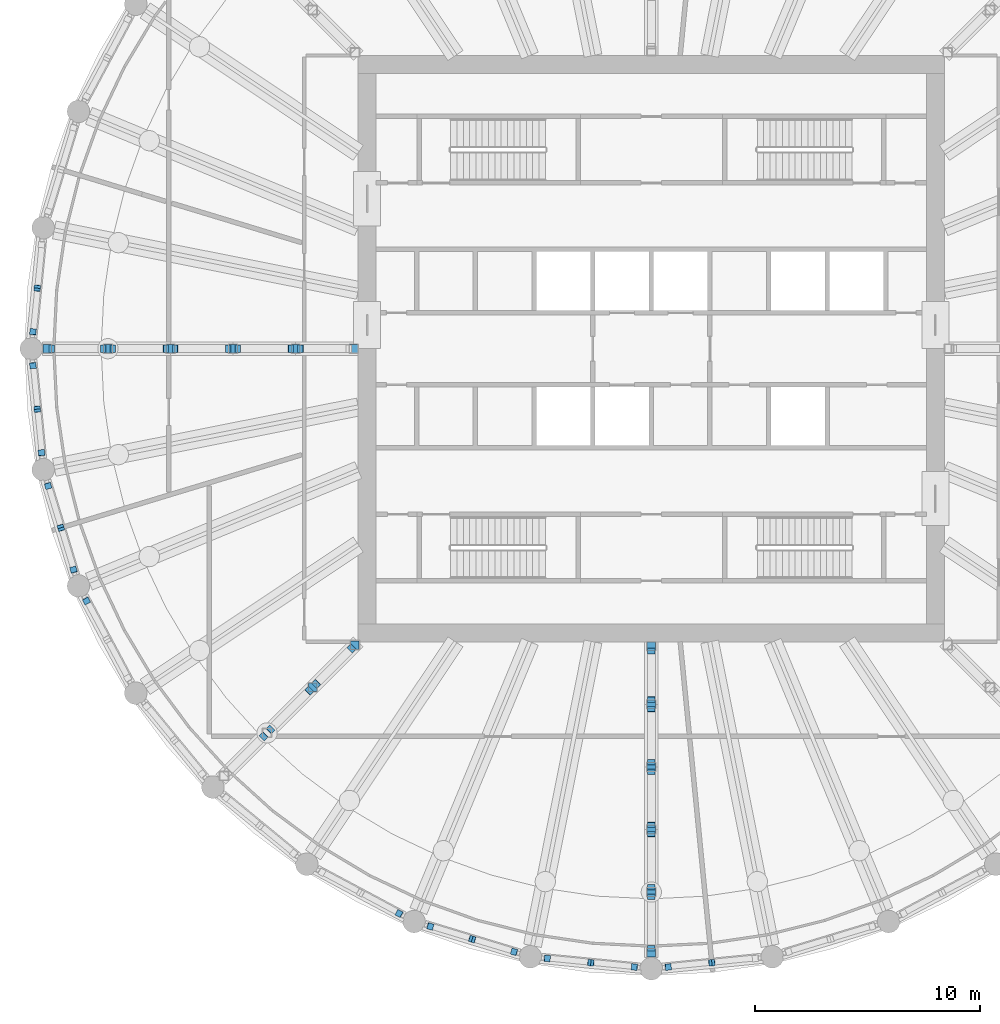
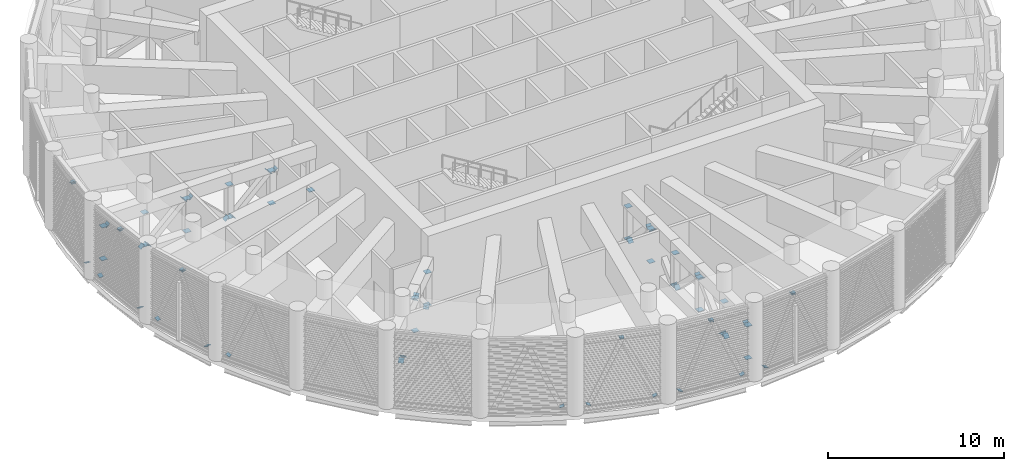
# One storey, part 13 of 24: 75 discrete accessories.
"""IFC4 building model written with IfcOpenShell, lengths in metres."""

from ifc_helpers import new_model, si_unit, direction, frame, origin, origin_2d, place, context, subcontext, project, spatial, rectangle, extrude, material, material_profile, profile_set, type_object, element, save


model = new_model("IFC4")

# Units and contexts
model_context = context("Model", 3, precision=1e-05, world=origin(), true_north=direction((0.0, 1.0)))
body_context = subcontext(model_context, "Body", "Model", "MODEL_VIEW")
ifc_project = project(units=[si_unit("LENGTHUNIT", "METRE"), si_unit("AREAUNIT", "SQUARE_METRE"), si_unit("VOLUMEUNIT", "CUBIC_METRE"), si_unit("PLANEANGLEUNIT", "RADIAN"), si_unit("MASSUNIT", "GRAM", prefix="KILO")], contexts=[model_context])

# Site, building, storey
site_placement = place(None, origin())
site = spatial("IfcSite", under=ifc_project, at=site_placement, CompositionType="ELEMENT")
building_placement = place(site_placement, origin())
building = spatial("IfcBuilding", under=site, at=building_placement, Name="Corvane Civic Tower", CompositionType="ELEMENT")
storey_placement = place(building_placement, frame((0.0, 0.0, 257.5)))
storey = spatial("IfcBuildingStorey", under=building, at=storey_placement, Name="L61", CompositionType="ELEMENT", Elevation=257.5)

# Discrete accessories
ifc_material_1 = material(Name="Steel ASTM A572 Gr 50", Category="steel")
ifc_material_profile_1 = material_profile(ifc_material_1, rectangle(XDim=0.2802734375, YDim=0.2802734375, at=origin_2d()), Name="GUSSET PLATE 25 IN HSS12X12X1/2")
ifc_profile_set_1 = profile_set([ifc_material_profile_1], Name="Steel ASTM A572 Gr 50")
discrete_accessory_type_1 = type_object("IfcDiscreteAccessoryType", Name="GUSSET PLATE 25 IN HSS12X12X1/2", PredefinedType="BRACKET", material=ifc_profile_set_1)
discrete_accessory_1_placement = place(storey_placement, frame((2.6826171875, -27.23583984375, 4.74365234375), z_axis=(0.399491749636, 0.038974804843, -0.915907913799), x_axis=(-0.097099964285, 0.995274633926, 0.0)))
element("IfcDiscreteAccessory", 1, at=discrete_accessory_1_placement, inside=storey, type_object=discrete_accessory_type_1, Name="Gusset plate BD1 end B", PredefinedType="BRACKET", context=body_context, shape_type="SweptSolid", body=[
    extrude(rectangle(XDim=0.2802734375, YDim=0.2802734375, at=origin_2d()), origin(), (0.0, 0.0, 1.0), 0.025146484375),
])
discrete_accessory_2_placement = place(storey_placement, frame((0.746337890625, -27.426513671875, 0.406494140625), z_axis=(0.411270876454, 0.0391686549, 0.910671226434), x_axis=(-0.094809092628, 0.995495472594, 0.0)))
element("IfcDiscreteAccessory", 2, at=discrete_accessory_2_placement, inside=storey, type_object=discrete_accessory_type_1, Name="Gusset plate BD1 end A", PredefinedType="BRACKET", context=body_context, shape_type="SweptSolid", body=[
    extrude(rectangle(XDim=0.2802734375, YDim=0.2802734375, at=origin_2d()), origin(), (0.0, 0.0, 1.0), 0.02490234375),
])
discrete_accessory_3_placement = place(storey_placement, frame((2.6826171875, -27.23583984375, 4.74365234375), z_axis=(-0.407632531003, -0.03882214581, -0.91232042653), x_axis=(0.094809092628, -0.995495472594, 0.0)))
element("IfcDiscreteAccessory", 3, at=discrete_accessory_3_placement, inside=storey, type_object=discrete_accessory_type_1, Name="Gusset plate BD1 end B", PredefinedType="BRACKET", context=body_context, shape_type="SweptSolid", body=[
    extrude(rectangle(XDim=0.2802734375, YDim=0.2802734375, at=origin_2d()), origin(), (0.0, 0.0, 1.0), 0.025146484375),
])
discrete_accessory_4_placement = place(storey_placement, frame((-0.746337890625, -27.426513671875, 0.406494140625), z_axis=(-0.411270876454, 0.0391686549, 0.910671226434), x_axis=(-0.094809092628, -0.995495472594, 0.0)))
element("IfcDiscreteAccessory", 4, at=discrete_accessory_4_placement, inside=storey, type_object=discrete_accessory_type_1, Name="Gusset plate BD1 end A", PredefinedType="BRACKET", context=body_context, shape_type="SweptSolid", body=[
    extrude(rectangle(XDim=0.2802734375, YDim=0.2802734375, at=origin_2d()), origin(), (0.0, 0.0, 1.0), 0.02490234375),
])
discrete_accessory_5_placement = place(storey_placement, frame((-2.6826171875, -27.23583984375, 4.74365234375), z_axis=(0.407632531003, -0.03882214581, -0.91232042653), x_axis=(0.094809092628, 0.995495472594, 0.0)))
element("IfcDiscreteAccessory", 5, at=discrete_accessory_5_placement, inside=storey, type_object=discrete_accessory_type_1, Name="Gusset plate BD1 end B", PredefinedType="BRACKET", context=body_context, shape_type="SweptSolid", body=[
    extrude(rectangle(XDim=0.2802734375, YDim=0.2802734375, at=origin_2d()), origin(), (0.0, 0.0, 1.0), 0.025146484375),
])
discrete_accessory_6_placement = place(storey_placement, frame((-4.61865234375, -27.045166015625, 0.406494140625), z_axis=(0.411270876454, -0.0391686549, 0.910671226434), x_axis=(0.094809092628, 0.995495472594, 0.0)))
element("IfcDiscreteAccessory", 6, at=discrete_accessory_6_placement, inside=storey, type_object=discrete_accessory_type_1, Name="Gusset plate BD1 end A", PredefinedType="BRACKET", context=body_context, shape_type="SweptSolid", body=[
    extrude(rectangle(XDim=0.2802734375, YDim=0.2802734375, at=origin_2d()), origin(), (0.0, 0.0, 1.0), 0.02490234375),
])
discrete_accessory_7_placement = place(storey_placement, frame((-2.6826171875, -27.23583984375, 4.74365234375), z_axis=(-0.399491749636, 0.038974804843, -0.915907913799), x_axis=(-0.097099964285, -0.995274633926, 0.0)))
element("IfcDiscreteAccessory", 7, at=discrete_accessory_7_placement, inside=storey, type_object=discrete_accessory_type_1, Name="Gusset plate BD1 end B", PredefinedType="BRACKET", context=body_context, shape_type="SweptSolid", body=[
    extrude(rectangle(XDim=0.2802734375, YDim=0.2802734375, at=origin_2d()), origin(), (0.0, 0.0, 1.0), 0.025146484375),
])
discrete_accessory_8_placement = place(storey_placement, frame((-6.082763671875, -26.75390625, 0.406494140625), z_axis=(-0.392364338194, 0.117709301458, 0.912247086301), x_axis=(-0.287347885566, -0.957826285221, 0.0)))
element("IfcDiscreteAccessory", 8, at=discrete_accessory_8_placement, inside=storey, type_object=discrete_accessory_type_1, Name="Gusset plate BD1 end A", PredefinedType="BRACKET", context=body_context, shape_type="SweptSolid", body=[
    extrude(rectangle(XDim=0.2802734375, YDim=0.2802734375, at=origin_2d()), origin(), (0.0, 0.0, 1.0), 0.02490234375),
])
discrete_accessory_9_placement = place(storey_placement, frame((-7.9443359375, -26.189208984375, 4.74365234375), z_axis=(0.388881387391, -0.116664416217, -0.913871260369), x_axis=(0.287347885566, 0.957826285221, 0.0)))
element("IfcDiscreteAccessory", 9, at=discrete_accessory_9_placement, inside=storey, type_object=discrete_accessory_type_1, Name="Gusset plate BD1 end B", PredefinedType="BRACKET", context=body_context, shape_type="SweptSolid", body=[
    extrude(rectangle(XDim=0.2802734375, YDim=0.2802734375, at=origin_2d()), origin(), (0.0, 0.0, 1.0), 0.025146484375),
])
discrete_accessory_10_placement = place(storey_placement, frame((-9.805908203125, -25.62451171875, 0.406494140625), z_axis=(0.392364338194, -0.117709301458, 0.912247086301), x_axis=(0.287347885566, 0.957826285221, 0.0)))
element("IfcDiscreteAccessory", 10, at=discrete_accessory_10_placement, inside=storey, type_object=discrete_accessory_type_1, Name="Gusset plate BD1 end A", PredefinedType="BRACKET", context=body_context, shape_type="SweptSolid", body=[
    extrude(rectangle(XDim=0.2802734375, YDim=0.2802734375, at=origin_2d()), origin(), (0.0, 0.0, 1.0), 0.02490234375),
])
discrete_accessory_11_placement = place(storey_placement, frame((-7.9443359375, -26.189208984375, 4.74365234375), z_axis=(-0.388881387391, 0.116664416217, -0.913871260369), x_axis=(-0.287347885566, -0.957826285221, 0.0)))
element("IfcDiscreteAccessory", 11, at=discrete_accessory_11_placement, inside=storey, type_object=discrete_accessory_type_1, Name="Gusset plate BD1 end B", PredefinedType="BRACKET", context=body_context, shape_type="SweptSolid", body=[
    extrude(rectangle(XDim=0.2802734375, YDim=0.2802734375, at=origin_2d()), origin(), (0.0, 0.0, 1.0), 0.025146484375),
])
for number, where, z_axis, x_axis, name in (
    (12, (-11.18505859375, -25.05322265625, 0.406494140625), (-0.362501282592, 0.195946639239, 0.911151872461), (-0.475517034365, -0.879706513576, 0.0), "Gusset plate BD1 end A"),
    (13, (-25.05322265625, -11.18505859375, 0.406494140625), (0.195946639239, -0.362501282592, 0.911151872461), (0.879706513576, 0.475517034365, 0.0), "Gusset plate BD1 end A"),
    (14, (-25.62451171875, -9.805908203125, 0.406494140625), (-0.117709301458, 0.392364338194, 0.912247086301), (-0.957826285221, -0.287347885566, 0.0), "Gusset plate BD1 end A"),
):
    element("IfcDiscreteAccessory", number, at=place(storey_placement, frame(where, z_axis=z_axis, x_axis=x_axis)), inside=storey, type_object=discrete_accessory_type_1, Name=name, PredefinedType="BRACKET", context=body_context, shape_type="SweptSolid", body=[
        extrude(rectangle(XDim=0.2802734375, YDim=0.2802734375, at=origin_2d()), origin(), (0.0, 0.0, 1.0), 0.02490234375),
    ])
discrete_accessory_12_placement = place(storey_placement, frame((-26.189208984375, -7.9443359375, 4.74365234375), z_axis=(0.116664416217, -0.388881387391, -0.913871260369), x_axis=(0.957826285221, 0.287347885566, 0.0)))
element("IfcDiscreteAccessory", 15, at=discrete_accessory_12_placement, inside=storey, type_object=discrete_accessory_type_1, Name="Gusset plate BD1 end B", PredefinedType="BRACKET", context=body_context, shape_type="SweptSolid", body=[
    extrude(rectangle(XDim=0.2802734375, YDim=0.2802734375, at=origin_2d()), origin(), (0.0, 0.0, 1.0), 0.025146484375),
])
discrete_accessory_13_placement = place(storey_placement, frame((-26.75390625, -6.082763671875, 0.406494140625), z_axis=(0.117709301458, -0.392364338194, 0.912247086301), x_axis=(0.957826285221, 0.287347885566, 0.0)))
element("IfcDiscreteAccessory", 16, at=discrete_accessory_13_placement, inside=storey, type_object=discrete_accessory_type_1, Name="Gusset plate BD1 end A", PredefinedType="BRACKET", context=body_context, shape_type="SweptSolid", body=[
    extrude(rectangle(XDim=0.2802734375, YDim=0.2802734375, at=origin_2d()), origin(), (0.0, 0.0, 1.0), 0.02490234375),
])
discrete_accessory_14_placement = place(storey_placement, frame((-26.189208984375, -7.9443359375, 4.74365234375), z_axis=(-0.116664416217, 0.388881387391, -0.913871260369), x_axis=(-0.957826285221, -0.287347885566, 0.0)))
element("IfcDiscreteAccessory", 17, at=discrete_accessory_14_placement, inside=storey, type_object=discrete_accessory_type_1, Name="Gusset plate BD1 end B", PredefinedType="BRACKET", context=body_context, shape_type="SweptSolid", body=[
    extrude(rectangle(XDim=0.2802734375, YDim=0.2802734375, at=origin_2d()), origin(), (0.0, 0.0, 1.0), 0.025146484375),
])
discrete_accessory_15_placement = place(storey_placement, frame((-27.045166015625, -4.61865234375, 0.406494140625), z_axis=(-0.0391686549, 0.411270876454, 0.910671226434), x_axis=(-0.995495472594, -0.094809092628, 0.0)))
element("IfcDiscreteAccessory", 18, at=discrete_accessory_15_placement, inside=storey, type_object=discrete_accessory_type_1, Name="Gusset plate BD1 end A", PredefinedType="BRACKET", context=body_context, shape_type="SweptSolid", body=[
    extrude(rectangle(XDim=0.2802734375, YDim=0.2802734375, at=origin_2d()), origin(), (0.0, 0.0, 1.0), 0.02490234375),
])
discrete_accessory_16_placement = place(storey_placement, frame((-27.23583984375, -2.6826171875, 4.74365234375), z_axis=(0.038974804843, -0.399491749636, -0.915907913799), x_axis=(0.995274633926, 0.097099964285, 0.0)))
element("IfcDiscreteAccessory", 19, at=discrete_accessory_16_placement, inside=storey, type_object=discrete_accessory_type_1, Name="Gusset plate BD1 end B", PredefinedType="BRACKET", context=body_context, shape_type="SweptSolid", body=[
    extrude(rectangle(XDim=0.2802734375, YDim=0.2802734375, at=origin_2d()), origin(), (0.0, 0.0, 1.0), 0.025146484375),
])
discrete_accessory_17_placement = place(storey_placement, frame((-27.426513671875, -0.746337890625, 0.406494140625), z_axis=(0.0391686549, -0.411270876454, 0.910671226434), x_axis=(0.995495472594, 0.094809092628, 0.0)))
element("IfcDiscreteAccessory", 20, at=discrete_accessory_17_placement, inside=storey, type_object=discrete_accessory_type_1, Name="Gusset plate BD1 end A", PredefinedType="BRACKET", context=body_context, shape_type="SweptSolid", body=[
    extrude(rectangle(XDim=0.2802734375, YDim=0.2802734375, at=origin_2d()), origin(), (0.0, 0.0, 1.0), 0.02490234375),
])
discrete_accessory_18_placement = place(storey_placement, frame((-27.23583984375, -2.6826171875, 4.74365234375), z_axis=(-0.03882214581, 0.407632531003, -0.91232042653), x_axis=(-0.995495472594, -0.094809092628, 0.0)))
element("IfcDiscreteAccessory", 21, at=discrete_accessory_18_placement, inside=storey, type_object=discrete_accessory_type_1, Name="Gusset plate BD1 end B", PredefinedType="BRACKET", context=body_context, shape_type="SweptSolid", body=[
    extrude(rectangle(XDim=0.2802734375, YDim=0.2802734375, at=origin_2d()), origin(), (0.0, 0.0, 1.0), 0.025146484375),
])
discrete_accessory_19_placement = place(storey_placement, frame((-27.426513671875, 0.746337890625, 0.406494140625), z_axis=(0.0391686549, 0.411270876454, 0.910671226434), x_axis=(-0.995495472594, 0.094809092628, 0.0)))
element("IfcDiscreteAccessory", 22, at=discrete_accessory_19_placement, inside=storey, type_object=discrete_accessory_type_1, Name="Gusset plate BD1 end A", PredefinedType="BRACKET", context=body_context, shape_type="SweptSolid", body=[
    extrude(rectangle(XDim=0.2802734375, YDim=0.2802734375, at=origin_2d()), origin(), (0.0, 0.0, 1.0), 0.02490234375),
])
for number, where, z_axis, x_axis, name in (
    (23, (-27.23583984375, 2.6826171875, 4.74365234375), (-0.03882214581, -0.407632531003, -0.91232042653), (0.995495472594, -0.094809092628, 0.0), "Gusset plate BD1 end B"),
    (24, (-27.23583984375, 2.6826171875, 4.74365234375), (0.038974804843, 0.399491749636, -0.915907913799), (-0.995274633926, 0.097099964285, 0.0), "Gusset plate BD1 end B"),
):
    element("IfcDiscreteAccessory", number, at=place(storey_placement, frame(where, z_axis=z_axis, x_axis=x_axis)), inside=storey, type_object=discrete_accessory_type_1, Name=name, PredefinedType="BRACKET", context=body_context, shape_type="SweptSolid", body=[
        extrude(rectangle(XDim=0.2802734375, YDim=0.2802734375, at=origin_2d()), origin(), (0.0, 0.0, 1.0), 0.025146484375),
    ])
ifc_material_2 = material(Name="Steel ASTM A572 Gr 50", Category="steel")
ifc_material_profile_2 = material_profile(ifc_material_2, rectangle(XDim=0.3310546875, YDim=0.3310546875, at=origin_2d()), Name="GUSSET PLATE 25 IN HSS14X14X1/2")
ifc_profile_set_2 = profile_set([ifc_material_profile_2], Name="Steel ASTM A572 Gr 50")
discrete_accessory_type_2 = type_object("IfcDiscreteAccessoryType", Name="GUSSET PLATE 25 IN HSS14X14X1/2", PredefinedType="BRACKET", material=ifc_profile_set_2)
discrete_accessory_20_placement = place(storey_placement, frame((0.0, -13.406494140625, 0.89990234375), z_axis=(0.0, -0.68231825036, 0.731055268243), x_axis=(1.0, 0.0, 0.0)))
element("IfcDiscreteAccessory", 25, at=discrete_accessory_20_placement, inside=storey, type_object=discrete_accessory_type_2, Name="Gusset plate OD1 end A", PredefinedType="BRACKET", context=body_context, shape_type="SweptSolid", body=[
    extrude(rectangle(XDim=0.3310546875, YDim=0.3310546875, at=origin_2d()), origin(), (0.0, 0.0, 1.0), 0.025146484375),
])
for number, where, z_axis, x_axis, name in (
    (26, (0.0, -15.57177734375, 3.199951171875), (0.0, 0.687199853876, -0.726468416955), (-1.0, 0.0, 0.0), "Gusset plate OD1 end B"),
    (27, (0.0, -15.978271484375, 3.199951171875), (0.0, -0.716858570585, -0.697218609747), (1.0, 0.0, 0.0), "Gusset plate OD1 end A"),
):
    element("IfcDiscreteAccessory", number, at=place(storey_placement, frame(where, z_axis=z_axis, x_axis=x_axis)), inside=storey, type_object=discrete_accessory_type_2, Name=name, PredefinedType="BRACKET", context=body_context, shape_type="SweptSolid", body=[
        extrude(rectangle(XDim=0.3310546875, YDim=0.3310546875, at=origin_2d()), origin(), (0.0, 0.0, 1.0), 0.02490234375),
    ])
for number, where, z_axis, x_axis, name in (
    (28, (0.0, -18.3466796875, 0.89990234375), (0.0, 0.711966448453, 0.702213483406), (-1.0, 0.0, 0.0), "Gusset plate OD1 end B"),
    (29, (0.0, -18.753173828125, 0.89990234375), (0.0, -0.716725930909, 0.697354959803), (1.0, 0.0, 0.0), "Gusset plate OD1 end A"),
    (30, (0.0, -21.121826171875, 3.199951171875), (0.0, 0.721582152295, -0.692328821796), (-1.0, 0.0, 0.0), "Gusset plate OD1 end B"),
):
    element("IfcDiscreteAccessory", number, at=place(storey_placement, frame(where, z_axis=z_axis, x_axis=x_axis)), inside=storey, type_object=discrete_accessory_type_2, Name=name, PredefinedType="BRACKET", context=body_context, shape_type="SweptSolid", body=[
        extrude(rectangle(XDim=0.3310546875, YDim=0.3310546875, at=origin_2d()), origin(), (0.0, 0.0, 1.0), 0.025146484375),
    ])
discrete_accessory_21_placement = place(storey_placement, frame((0.0, -21.5283203125, 3.199951171875), z_axis=(0.0, -0.716858570585, -0.697218609747), x_axis=(1.0, 0.0, 0.0)))
element("IfcDiscreteAccessory", 31, at=discrete_accessory_21_placement, inside=storey, type_object=discrete_accessory_type_2, Name="Gusset plate OD1 end A", PredefinedType="BRACKET", context=body_context, shape_type="SweptSolid", body=[
    extrude(rectangle(XDim=0.3310546875, YDim=0.3310546875, at=origin_2d()), origin(), (0.0, 0.0, 1.0), 0.02490234375),
])
for number, where, z_axis, x_axis, name in (
    (32, (0.0, -23.896728515625, 0.89990234375), (0.0, 0.711966448453, 0.702213483406), (-1.0, 0.0, 0.0), "Gusset plate OD1 end B"),
    (33, (0.0, -24.30322265625, 0.89990234375), (0.0, -0.702213483406, 0.711966448453), (1.0, 0.0, 0.0), "Gusset plate OD1 end A"),
):
    element("IfcDiscreteAccessory", number, at=place(storey_placement, frame(where, z_axis=z_axis, x_axis=x_axis)), inside=storey, type_object=discrete_accessory_type_2, Name=name, PredefinedType="BRACKET", context=body_context, shape_type="SweptSolid", body=[
        extrude(rectangle(XDim=0.3310546875, YDim=0.3310546875, at=origin_2d()), origin(), (0.0, 0.0, 1.0), 0.025146484375),
    ])
discrete_accessory_22_placement = place(storey_placement, frame((0.0, -26.593505859375, 3.199951171875), z_axis=(0.0, 0.707106781187, -0.707106781187), x_axis=(-1.0, 0.0, 0.0)))
element("IfcDiscreteAccessory", 34, at=discrete_accessory_22_placement, inside=storey, type_object=discrete_accessory_type_2, Name="Gusset plate OD1 end B", PredefinedType="BRACKET", context=body_context, shape_type="SweptSolid", body=[
    extrude(rectangle(XDim=0.3310546875, YDim=0.3310546875, at=origin_2d()), origin(), (0.0, 0.0, 1.0), 0.02490234375),
])
for number, where, z_axis, x_axis, name in (
    (35, (-13.287353515625, -13.287353515625, 0.89990234375), (-0.493543251398, -0.493543251398, 0.716121580459), (0.707106781187, -0.707106781187, 0.0), "Gusset plate OD1 end A"),
    (36, (-14.876953125, -14.876953125, 3.199951171875), (0.496975946736, 0.496975946736, -0.711357727681), (-0.707106781187, 0.707106781187, 0.0), "Gusset plate OD1 end B"),
    (37, (-15.164306640625, -15.164306640625, 3.199951171875), (-0.516784270393, -0.516784270393, -0.682545262784), (0.707106781187, -0.707106781187, 0.0), "Gusset plate OD1 end A"),
    (38, (-16.897705078125, -16.897705078125, 0.89990234375), (0.516784270393, 0.516784270393, 0.682545262784), (-0.707106781187, 0.707106781187, 0.0), "Gusset plate OD1 end B"),
    (39, (-17.18505859375, -17.18505859375, 0.89990234375), (-0.496975946736, -0.496975946736, 0.711357727681), (0.707106781187, -0.707106781187, 0.0), "Gusset plate OD1 end A"),
):
    element("IfcDiscreteAccessory", number, at=place(storey_placement, frame(where, z_axis=z_axis, x_axis=x_axis)), inside=storey, type_object=discrete_accessory_type_2, Name=name, PredefinedType="BRACKET", context=body_context, shape_type="SweptSolid", body=[
        extrude(rectangle(XDim=0.3310546875, YDim=0.3310546875, at=origin_2d()), origin(), (0.0, 0.0, 1.0), 0.025146484375),
    ])
for number, where, z_axis, x_axis, name in (
    (40, (-15.57177734375, 0.0, 3.199951171875), (0.687199853876, 0.0, -0.726468416955), (0.0, 1.0, 0.0), "Gusset plate OD1 end B"),
    (41, (-15.978271484375, 0.0, 3.199951171875), (-0.716858570585, 0.0, -0.697218609747), (0.0, -1.0, 0.0), "Gusset plate OD1 end A"),
):
    element("IfcDiscreteAccessory", number, at=place(storey_placement, frame(where, z_axis=z_axis, x_axis=x_axis)), inside=storey, type_object=discrete_accessory_type_2, Name=name, PredefinedType="BRACKET", context=body_context, shape_type="SweptSolid", body=[
        extrude(rectangle(XDim=0.3310546875, YDim=0.3310546875, at=origin_2d()), origin(), (0.0, 0.0, 1.0), 0.02490234375),
    ])
for number, where, z_axis, x_axis, name in (
    (42, (-18.3466796875, 0.0, 0.89990234375), (0.711966448453, 0.0, 0.702213483406), (0.0, 1.0, 0.0), "Gusset plate OD1 end B"),
    (43, (-18.753173828125, 0.0, 0.89990234375), (-0.716725930909, 0.0, 0.697354959803), (0.0, -1.0, 0.0), "Gusset plate OD1 end A"),
    (44, (-21.121826171875, 0.0, 3.199951171875), (0.721582152295, 0.0, -0.692328821796), (0.0, 1.0, 0.0), "Gusset plate OD1 end B"),
):
    element("IfcDiscreteAccessory", number, at=place(storey_placement, frame(where, z_axis=z_axis, x_axis=x_axis)), inside=storey, type_object=discrete_accessory_type_2, Name=name, PredefinedType="BRACKET", context=body_context, shape_type="SweptSolid", body=[
        extrude(rectangle(XDim=0.3310546875, YDim=0.3310546875, at=origin_2d()), origin(), (0.0, 0.0, 1.0), 0.025146484375),
    ])
discrete_accessory_23_placement = place(storey_placement, frame((-21.5283203125, 0.0, 3.199951171875), z_axis=(-0.716858570585, 0.0, -0.697218609747), x_axis=(0.0, -1.0, 0.0)))
element("IfcDiscreteAccessory", 45, at=discrete_accessory_23_placement, inside=storey, type_object=discrete_accessory_type_2, Name="Gusset plate OD1 end A", PredefinedType="BRACKET", context=body_context, shape_type="SweptSolid", body=[
    extrude(rectangle(XDim=0.3310546875, YDim=0.3310546875, at=origin_2d()), origin(), (0.0, 0.0, 1.0), 0.02490234375),
])
for number, where, z_axis, x_axis, name in (
    (46, (-23.896728515625, 0.0, 0.89990234375), (0.711966448453, 0.0, 0.702213483406), (0.0, 1.0, 0.0), "Gusset plate OD1 end B"),
    (47, (-24.30322265625, 0.0, 0.89990234375), (-0.702213483406, 0.0, 0.711966448453), (0.0, -1.0, 0.0), "Gusset plate OD1 end A"),
):
    element("IfcDiscreteAccessory", number, at=place(storey_placement, frame(where, z_axis=z_axis, x_axis=x_axis)), inside=storey, type_object=discrete_accessory_type_2, Name=name, PredefinedType="BRACKET", context=body_context, shape_type="SweptSolid", body=[
        extrude(rectangle(XDim=0.3310546875, YDim=0.3310546875, at=origin_2d()), origin(), (0.0, 0.0, 1.0), 0.025146484375),
    ])
discrete_accessory_24_placement = place(storey_placement, frame((-26.593505859375, 0.0, 3.199951171875), z_axis=(0.707106781187, 0.0, -0.707106781187), x_axis=(0.0, 1.0, 0.0)))
element("IfcDiscreteAccessory", 48, at=discrete_accessory_24_placement, inside=storey, type_object=discrete_accessory_type_2, Name="Gusset plate OD1 end B", PredefinedType="BRACKET", context=body_context, shape_type="SweptSolid", body=[
    extrude(rectangle(XDim=0.3310546875, YDim=0.3310546875, at=origin_2d()), origin(), (0.0, 0.0, 1.0), 0.02490234375),
])
ifc_material_3 = material(Name="Steel ASTM A572 Gr 50", Category="steel")
ifc_material_profile_3 = material_profile(ifc_material_3, rectangle(XDim=0.3759765625, YDim=0.3759765625, at=origin_2d()), Name="GUSSET PLATE 25 IN HSS16X16X5/8")
ifc_profile_set_3 = profile_set([ifc_material_profile_3], Name="Steel ASTM A572 Gr 50")
discrete_accessory_type_3 = type_object("IfcDiscreteAccessoryType", Name="GUSSET PLATE 25 IN HSS16X16X5/8", PredefinedType="BRACKET", material=ifc_profile_set_3)
discrete_accessory_25_placement = place(storey_placement, frame((0.0, -13.203125, 0.89990234375), z_axis=(0.0, 0.0, 1.0), x_axis=(1.0, 0.0, 0.0)))
element("IfcDiscreteAccessory", 49, at=discrete_accessory_25_placement, inside=storey, type_object=discrete_accessory_type_3, Name="Gusset plate OP1 end A", PredefinedType="BRACKET", context=body_context, shape_type="SweptSolid", body=[
    extrude(rectangle(XDim=0.3759765625, YDim=0.3759765625, at=origin_2d()), origin(), (0.0, 0.0, 1.0), 0.025146484375),
])
discrete_accessory_26_placement = place(storey_placement, frame((0.0, -13.203125, 3.199951171875), z_axis=(0.0, 0.0, -1.0), x_axis=(1.0, 0.0, 0.0)))
element("IfcDiscreteAccessory", 50, at=discrete_accessory_26_placement, inside=storey, type_object=discrete_accessory_type_3, Name="Gusset plate OP1 end B", PredefinedType="BRACKET", context=body_context, shape_type="SweptSolid", body=[
    extrude(rectangle(XDim=0.3759765625, YDim=0.3759765625, at=origin_2d()), origin(), (0.0, 0.0, 1.0), 0.02490234375),
])
discrete_accessory_27_placement = place(storey_placement, frame((0.0, -15.77490234375, 0.89990234375), z_axis=(0.0, 0.0, 1.0), x_axis=(1.0, 0.0, 0.0)))
element("IfcDiscreteAccessory", 51, at=discrete_accessory_27_placement, inside=storey, type_object=discrete_accessory_type_3, Name="Gusset plate OP1 end A", PredefinedType="BRACKET", context=body_context, shape_type="SweptSolid", body=[
    extrude(rectangle(XDim=0.3759765625, YDim=0.3759765625, at=origin_2d()), origin(), (0.0, 0.0, 1.0), 0.025146484375),
])
discrete_accessory_28_placement = place(storey_placement, frame((0.0, -15.77490234375, 3.199951171875), z_axis=(0.0, 0.0, -1.0), x_axis=(1.0, 0.0, 0.0)))
element("IfcDiscreteAccessory", 52, at=discrete_accessory_28_placement, inside=storey, type_object=discrete_accessory_type_3, Name="Gusset plate OP1 end B", PredefinedType="BRACKET", context=body_context, shape_type="SweptSolid", body=[
    extrude(rectangle(XDim=0.3759765625, YDim=0.3759765625, at=origin_2d()), origin(), (0.0, 0.0, 1.0), 0.02490234375),
])
discrete_accessory_29_placement = place(storey_placement, frame((0.0, -18.550048828125, 0.89990234375), z_axis=(0.0, 0.0, 1.0), x_axis=(1.0, 0.0, 0.0)))
element("IfcDiscreteAccessory", 53, at=discrete_accessory_29_placement, inside=storey, type_object=discrete_accessory_type_3, Name="Gusset plate OP1 end A", PredefinedType="BRACKET", context=body_context, shape_type="SweptSolid", body=[
    extrude(rectangle(XDim=0.3759765625, YDim=0.3759765625, at=origin_2d()), origin(), (0.0, 0.0, 1.0), 0.025146484375),
])
discrete_accessory_30_placement = place(storey_placement, frame((0.0, -18.550048828125, 3.199951171875), z_axis=(0.0, 0.0, -1.0), x_axis=(1.0, 0.0, 0.0)))
element("IfcDiscreteAccessory", 54, at=discrete_accessory_30_placement, inside=storey, type_object=discrete_accessory_type_3, Name="Gusset plate OP1 end B", PredefinedType="BRACKET", context=body_context, shape_type="SweptSolid", body=[
    extrude(rectangle(XDim=0.3759765625, YDim=0.3759765625, at=origin_2d()), origin(), (0.0, 0.0, 1.0), 0.02490234375),
])
discrete_accessory_31_placement = place(storey_placement, frame((0.0, -21.324951171875, 0.89990234375), z_axis=(0.0, 0.0, 1.0), x_axis=(1.0, 0.0, 0.0)))
element("IfcDiscreteAccessory", 55, at=discrete_accessory_31_placement, inside=storey, type_object=discrete_accessory_type_3, Name="Gusset plate OP1 end A", PredefinedType="BRACKET", context=body_context, shape_type="SweptSolid", body=[
    extrude(rectangle(XDim=0.3759765625, YDim=0.3759765625, at=origin_2d()), origin(), (0.0, 0.0, 1.0), 0.025146484375),
])
discrete_accessory_32_placement = place(storey_placement, frame((0.0, -21.324951171875, 3.199951171875), z_axis=(0.0, 0.0, -1.0), x_axis=(1.0, 0.0, 0.0)))
element("IfcDiscreteAccessory", 56, at=discrete_accessory_32_placement, inside=storey, type_object=discrete_accessory_type_3, Name="Gusset plate OP1 end B", PredefinedType="BRACKET", context=body_context, shape_type="SweptSolid", body=[
    extrude(rectangle(XDim=0.3759765625, YDim=0.3759765625, at=origin_2d()), origin(), (0.0, 0.0, 1.0), 0.02490234375),
])
discrete_accessory_33_placement = place(storey_placement, frame((0.0, -24.10009765625, 0.89990234375), z_axis=(0.0, 0.0, 1.0), x_axis=(1.0, 0.0, 0.0)))
element("IfcDiscreteAccessory", 57, at=discrete_accessory_33_placement, inside=storey, type_object=discrete_accessory_type_3, Name="Gusset plate OP1 end A", PredefinedType="BRACKET", context=body_context, shape_type="SweptSolid", body=[
    extrude(rectangle(XDim=0.3759765625, YDim=0.3759765625, at=origin_2d()), origin(), (0.0, 0.0, 1.0), 0.025146484375),
])
discrete_accessory_34_placement = place(storey_placement, frame((0.0, -24.10009765625, 3.199951171875), z_axis=(0.0, 0.0, -1.0), x_axis=(1.0, 0.0, 0.0)))
element("IfcDiscreteAccessory", 58, at=discrete_accessory_34_placement, inside=storey, type_object=discrete_accessory_type_3, Name="Gusset plate OP1 end B", PredefinedType="BRACKET", context=body_context, shape_type="SweptSolid", body=[
    extrude(rectangle(XDim=0.3759765625, YDim=0.3759765625, at=origin_2d()), origin(), (0.0, 0.0, 1.0), 0.02490234375),
])
discrete_accessory_35_placement = place(storey_placement, frame((0.0, -26.796875, 0.89990234375), z_axis=(0.0, 0.0, 1.0), x_axis=(1.0, 0.0, 0.0)))
element("IfcDiscreteAccessory", 59, at=discrete_accessory_35_placement, inside=storey, type_object=discrete_accessory_type_3, Name="Gusset plate OP1 end A", PredefinedType="BRACKET", context=body_context, shape_type="SweptSolid", body=[
    extrude(rectangle(XDim=0.3759765625, YDim=0.3759765625, at=origin_2d()), origin(), (0.0, 0.0, 1.0), 0.025146484375),
])
discrete_accessory_36_placement = place(storey_placement, frame((0.0, -26.796875, 3.199951171875), z_axis=(0.0, 0.0, -1.0), x_axis=(1.0, 0.0, 0.0)))
element("IfcDiscreteAccessory", 60, at=discrete_accessory_36_placement, inside=storey, type_object=discrete_accessory_type_3, Name="Gusset plate OP1 end B", PredefinedType="BRACKET", context=body_context, shape_type="SweptSolid", body=[
    extrude(rectangle(XDim=0.3759765625, YDim=0.3759765625, at=origin_2d()), origin(), (0.0, 0.0, 1.0), 0.02490234375),
])
discrete_accessory_37_placement = place(storey_placement, frame((-13.143798828125, -13.143798828125, 0.89990234375), z_axis=(0.0, 0.0, 1.0), x_axis=(1.0, 0.0, 0.0)))
element("IfcDiscreteAccessory", 61, at=discrete_accessory_37_placement, inside=storey, type_object=discrete_accessory_type_3, Name="Gusset plate OP1 end A", PredefinedType="BRACKET", context=body_context, shape_type="SweptSolid", body=[
    extrude(rectangle(XDim=0.3759765625, YDim=0.3759765625, at=origin_2d()), origin(), (0.0, 0.0, 1.0), 0.025146484375),
])
discrete_accessory_38_placement = place(storey_placement, frame((-13.143798828125, -13.143798828125, 3.199951171875), z_axis=(0.0, 0.0, -1.0), x_axis=(1.0, 0.0, 0.0)))
element("IfcDiscreteAccessory", 62, at=discrete_accessory_38_placement, inside=storey, type_object=discrete_accessory_type_3, Name="Gusset plate OP1 end B", PredefinedType="BRACKET", context=body_context, shape_type="SweptSolid", body=[
    extrude(rectangle(XDim=0.3759765625, YDim=0.3759765625, at=origin_2d()), origin(), (0.0, 0.0, 1.0), 0.02490234375),
])
discrete_accessory_39_placement = place(storey_placement, frame((-15.020751953125, -15.020751953125, 0.89990234375), z_axis=(0.0, 0.0, 1.0), x_axis=(1.0, 0.0, 0.0)))
element("IfcDiscreteAccessory", 63, at=discrete_accessory_39_placement, inside=storey, type_object=discrete_accessory_type_3, Name="Gusset plate OP1 end A", PredefinedType="BRACKET", context=body_context, shape_type="SweptSolid", body=[
    extrude(rectangle(XDim=0.3759765625, YDim=0.3759765625, at=origin_2d()), origin(), (0.0, 0.0, 1.0), 0.025146484375),
])
discrete_accessory_40_placement = place(storey_placement, frame((-15.020751953125, -15.020751953125, 3.199951171875), z_axis=(0.0, 0.0, -1.0), x_axis=(1.0, 0.0, 0.0)))
element("IfcDiscreteAccessory", 64, at=discrete_accessory_40_placement, inside=storey, type_object=discrete_accessory_type_3, Name="Gusset plate OP1 end B", PredefinedType="BRACKET", context=body_context, shape_type="SweptSolid", body=[
    extrude(rectangle(XDim=0.3759765625, YDim=0.3759765625, at=origin_2d()), origin(), (0.0, 0.0, 1.0), 0.02490234375),
])
for number, where, z_axis, x_axis, name in (
    (65, (-13.203125, 0.0, 0.89990234375), (0.0, 0.0, 1.0), (1.0, 0.0, 0.0), "Gusset plate OP1 end A"),
    (66, (-15.77490234375, 0.0, 0.89990234375), (0.0, 0.0, 1.0), (1.0, 0.0, 0.0), "Gusset plate OP1 end A"),
):
    element("IfcDiscreteAccessory", number, at=place(storey_placement, frame(where, z_axis=z_axis, x_axis=x_axis)), inside=storey, type_object=discrete_accessory_type_3, Name=name, PredefinedType="BRACKET", context=body_context, shape_type="SweptSolid", body=[
        extrude(rectangle(XDim=0.3759765625, YDim=0.3759765625, at=origin_2d()), origin(), (0.0, 0.0, 1.0), 0.025146484375),
    ])
discrete_accessory_41_placement = place(storey_placement, frame((-15.77490234375, 0.0, 3.199951171875), z_axis=(0.0, 0.0, -1.0), x_axis=(1.0, 0.0, 0.0)))
element("IfcDiscreteAccessory", 67, at=discrete_accessory_41_placement, inside=storey, type_object=discrete_accessory_type_3, Name="Gusset plate OP1 end B", PredefinedType="BRACKET", context=body_context, shape_type="SweptSolid", body=[
    extrude(rectangle(XDim=0.3759765625, YDim=0.3759765625, at=origin_2d()), origin(), (0.0, 0.0, 1.0), 0.02490234375),
])
discrete_accessory_42_placement = place(storey_placement, frame((-18.550048828125, 0.0, 0.89990234375), z_axis=(0.0, 0.0, 1.0), x_axis=(1.0, 0.0, 0.0)))
element("IfcDiscreteAccessory", 68, at=discrete_accessory_42_placement, inside=storey, type_object=discrete_accessory_type_3, Name="Gusset plate OP1 end A", PredefinedType="BRACKET", context=body_context, shape_type="SweptSolid", body=[
    extrude(rectangle(XDim=0.3759765625, YDim=0.3759765625, at=origin_2d()), origin(), (0.0, 0.0, 1.0), 0.025146484375),
])
discrete_accessory_43_placement = place(storey_placement, frame((-18.550048828125, 0.0, 3.199951171875), z_axis=(0.0, 0.0, -1.0), x_axis=(1.0, 0.0, 0.0)))
element("IfcDiscreteAccessory", 69, at=discrete_accessory_43_placement, inside=storey, type_object=discrete_accessory_type_3, Name="Gusset plate OP1 end B", PredefinedType="BRACKET", context=body_context, shape_type="SweptSolid", body=[
    extrude(rectangle(XDim=0.3759765625, YDim=0.3759765625, at=origin_2d()), origin(), (0.0, 0.0, 1.0), 0.02490234375),
])
discrete_accessory_44_placement = place(storey_placement, frame((-21.324951171875, 0.0, 0.89990234375), z_axis=(0.0, 0.0, 1.0), x_axis=(1.0, 0.0, 0.0)))
element("IfcDiscreteAccessory", 70, at=discrete_accessory_44_placement, inside=storey, type_object=discrete_accessory_type_3, Name="Gusset plate OP1 end A", PredefinedType="BRACKET", context=body_context, shape_type="SweptSolid", body=[
    extrude(rectangle(XDim=0.3759765625, YDim=0.3759765625, at=origin_2d()), origin(), (0.0, 0.0, 1.0), 0.025146484375),
])
discrete_accessory_45_placement = place(storey_placement, frame((-21.324951171875, 0.0, 3.199951171875), z_axis=(0.0, 0.0, -1.0), x_axis=(1.0, 0.0, 0.0)))
element("IfcDiscreteAccessory", 71, at=discrete_accessory_45_placement, inside=storey, type_object=discrete_accessory_type_3, Name="Gusset plate OP1 end B", PredefinedType="BRACKET", context=body_context, shape_type="SweptSolid", body=[
    extrude(rectangle(XDim=0.3759765625, YDim=0.3759765625, at=origin_2d()), origin(), (0.0, 0.0, 1.0), 0.02490234375),
])
discrete_accessory_46_placement = place(storey_placement, frame((-24.10009765625, 0.0, 0.89990234375), z_axis=(0.0, 0.0, 1.0), x_axis=(1.0, 0.0, 0.0)))
element("IfcDiscreteAccessory", 72, at=discrete_accessory_46_placement, inside=storey, type_object=discrete_accessory_type_3, Name="Gusset plate OP1 end A", PredefinedType="BRACKET", context=body_context, shape_type="SweptSolid", body=[
    extrude(rectangle(XDim=0.3759765625, YDim=0.3759765625, at=origin_2d()), origin(), (0.0, 0.0, 1.0), 0.025146484375),
])
discrete_accessory_47_placement = place(storey_placement, frame((-24.10009765625, 0.0, 3.199951171875), z_axis=(0.0, 0.0, -1.0), x_axis=(1.0, 0.0, 0.0)))
element("IfcDiscreteAccessory", 73, at=discrete_accessory_47_placement, inside=storey, type_object=discrete_accessory_type_3, Name="Gusset plate OP1 end B", PredefinedType="BRACKET", context=body_context, shape_type="SweptSolid", body=[
    extrude(rectangle(XDim=0.3759765625, YDim=0.3759765625, at=origin_2d()), origin(), (0.0, 0.0, 1.0), 0.02490234375),
])
discrete_accessory_48_placement = place(storey_placement, frame((-26.796875, 0.0, 0.89990234375), z_axis=(0.0, 0.0, 1.0), x_axis=(1.0, 0.0, 0.0)))
element("IfcDiscreteAccessory", 74, at=discrete_accessory_48_placement, inside=storey, type_object=discrete_accessory_type_3, Name="Gusset plate OP1 end A", PredefinedType="BRACKET", context=body_context, shape_type="SweptSolid", body=[
    extrude(rectangle(XDim=0.3759765625, YDim=0.3759765625, at=origin_2d()), origin(), (0.0, 0.0, 1.0), 0.025146484375),
])
discrete_accessory_49_placement = place(storey_placement, frame((-26.796875, 0.0, 3.199951171875), z_axis=(0.0, 0.0, -1.0), x_axis=(1.0, 0.0, 0.0)))
element("IfcDiscreteAccessory", 75, at=discrete_accessory_49_placement, inside=storey, type_object=discrete_accessory_type_3, Name="Gusset plate OP1 end B", PredefinedType="BRACKET", context=body_context, shape_type="SweptSolid", body=[
    extrude(rectangle(XDim=0.3759765625, YDim=0.3759765625, at=origin_2d()), origin(), (0.0, 0.0, 1.0), 0.02490234375),
])

save(model, "model.ifc")
